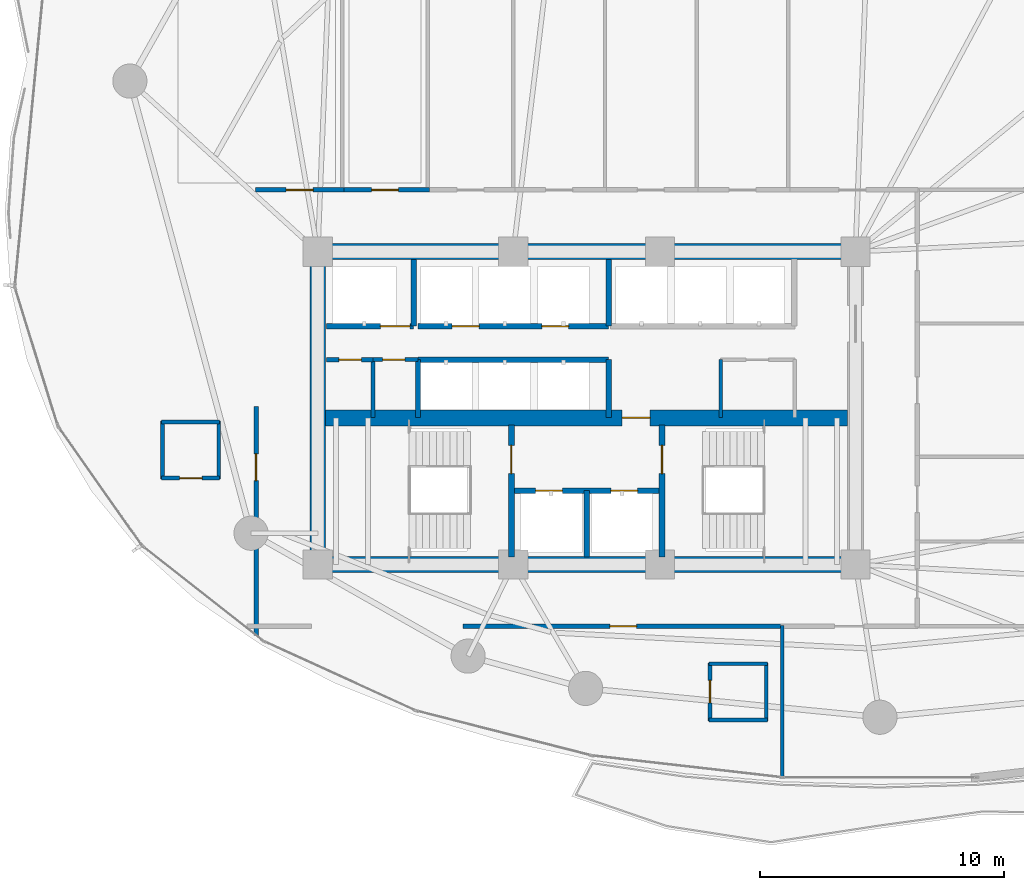
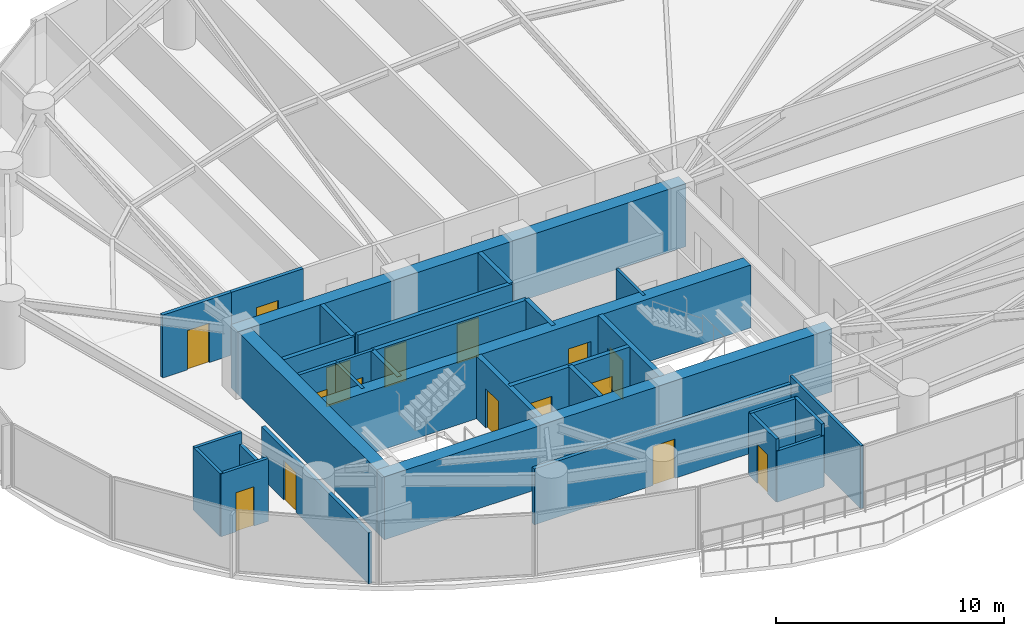
# One storey, part 25 of 31: 32 walls, 16 doors, 16 openings.
"""IFC4 building model written with IfcOpenShell, lengths in metres."""

from ifc_helpers import new_model, si_unit, direction, frame, frame_2d, origin, place, context, subcontext, project, spatial, rectangle, extrude, material, layer, layer_set, type_object, element, fill, save


model = new_model("IFC4")

# Units and contexts
model_context = context("Model", 3, precision=1e-05, world=origin(), true_north=direction((0.0, 1.0)))
body_context = subcontext(model_context, "Body", "Model", "MODEL_VIEW")
ifc_project = project(units=[si_unit("LENGTHUNIT", "METRE"), si_unit("AREAUNIT", "SQUARE_METRE"), si_unit("VOLUMEUNIT", "CUBIC_METRE"), si_unit("PLANEANGLEUNIT", "RADIAN"), si_unit("MASSUNIT", "GRAM", prefix="KILO")], contexts=[model_context])

# Site, building, storey
site_placement = place(None, origin())
site = spatial("IfcSite", under=ifc_project, at=site_placement, CompositionType="ELEMENT")
building_placement = place(site_placement, origin())
building = spatial("IfcBuilding", under=site, at=building_placement, Name="Kazevale Care Tower and Concert Hall", CompositionType="ELEMENT")
storey_placement = place(building_placement, frame((0.0, 0.0, 60.0)))
storey = spatial("IfcBuildingStorey", under=building, at=storey_placement, Name="L15", CompositionType="ELEMENT", Elevation=60.0)

# Walls
ifc_material_1 = material(Name="Acoustic Gypsum on Steel Stud", Category="steel")
ifc_layer_1 = layer(ifc_material_1, 0.139892578125)
ifc_layer_set_1 = layer_set([ifc_layer_1], Name="Acoustic Gypsum on Steel Stud")
wall_type_1 = type_object("IfcWallType", Name="Acoustic Care & Suite Partition 140", PredefinedType="PARTITIONING", material=ifc_layer_set_1)
wall_1_placement = place(storey_placement, frame((38.47998046875, 29.6201171875, 0.0), z_axis=(0.0, 0.0, 1.0), x_axis=(0.0, 1.0, 0.0)))
element("IfcWall", 1, at=wall_1_placement, inside=storey, type_object=wall_type_1, Name="wall:L15:kb_ew", PredefinedType="PARTITIONING", context=body_context, shape_type="SweptSolid", body=[
    extrude(rectangle(XDim=2.35986328125, YDim=0.139892578125, at=frame_2d((1.179931640625, 0.0))), origin(), (0.0, 0.0, 1.0), 3.360107421875),
])
wall_2_placement = place(storey_placement, frame((41.0, 21.10498046875, 0.0), z_axis=(0.0, 0.0, 1.0), x_axis=(0.0, -1.0, 0.0)))
element("IfcWall", 2, at=wall_2_placement, inside=storey, type_object=wall_type_1, Name="wall:L15:auto_027", PredefinedType="PARTITIONING", context=body_context, shape_type="SweptSolid", body=[
    extrude(rectangle(XDim=6.204833984375, YDim=0.139892578125, at=frame_2d((3.1025390625, 0.0))), origin(), (0.0, 0.0, 1.0), 3.360107421875),
])
ifc_material_2 = material(Name="Concrete C70", Category="concrete")
ifc_layer_2 = layer(ifc_material_2, 0.64990234375)
ifc_layer_set_2 = layer_set([ifc_layer_2], Name="Concrete C70")
wall_type_2 = type_object("IfcWallType", Name="Core Shear Wall 650 C70", PredefinedType="SHEAR", material=ifc_layer_set_2)
for number, where, z_axis, x_axis, name in (
    (3, (21.675048828125, 23.60009765625, 0.0), (0.0, 0.0, 1.0), (1.0, 0.0, 0.0), "wall:L15:core:S"),
    (4, (21.675048828125, 36.39990234375, 0.0), (0.0, 0.0, 1.0), (1.0, 0.0, 0.0), "wall:L15:core:N"),
):
    element("IfcWall", number, at=place(storey_placement, frame(where, z_axis=z_axis, x_axis=x_axis)), inside=storey, type_object=wall_type_2, Name=name, PredefinedType="SHEAR", context=body_context, shape_type="SweptSolid", body=[
        extrude(rectangle(XDim=22.64990234375, YDim=0.64990234375, at=frame_2d((11.324951171875, 0.0))), origin(), (0.0, 0.0, 1.0), 3.360107421875),
    ])
wall_3_placement = place(storey_placement, frame((22.0, 23.925048828125, 0.0), z_axis=(0.0, 0.0, 1.0), x_axis=(0.0, 1.0, 0.0)))
element("IfcWall", 5, at=wall_3_placement, inside=storey, type_object=wall_type_2, Name="wall:L15:core:W", PredefinedType="SHEAR", context=body_context, shape_type="SweptSolid", body=[
    extrude(rectangle(XDim=12.14990234375, YDim=0.64990234375, at=frame_2d((6.074951171875, 0.0))), origin(), (0.0, 0.0, 1.0), 3.360107421875),
])

# Wall, opening, door
wall_4_placement = place(storey_placement, frame((22.324951171875, 29.60009765625, 0.0), z_axis=(0.0, 0.0, 1.0), x_axis=(1.0, 0.0, 0.0)))
wall_4 = element("IfcWall", 6, at=wall_4_placement, inside=storey, type_object=wall_type_2, Name="wall:L15:core:M", PredefinedType="SHEAR", context=body_context, shape_type="SweptSolid", body=[
    extrude(rectangle(XDim=21.35009765625, YDim=0.64990234375, at=frame_2d((10.675048828125, 0.0))), origin(), (0.0, 0.0, 1.0), 3.360107421875),
])
opening_1_placement = place(wall_4_placement, frame((12.125, 0.0, 0.0)))
opening_1 = element("IfcOpeningElement", 7, at=opening_1_placement, cuts=wall_4, Name="Opening FD-90", PredefinedType="OPENING", context=body_context, shape_type="SweptSolid", body=[
    extrude(rectangle(XDim=1.14990234375, YDim=2.10009765625, at=frame_2d((0.574951171875, 1.050048828125))), frame((0.0, 0.3349609375, 0.0), z_axis=(0.0, -1.0, 0.0), x_axis=(1.0, 0.0, 0.0)), (0.0, 0.0, 1.0), 0.669921875),
])
ifc_material_3 = material(Name="Steel ASTM A572 Gr 50", Category="steel")
door_type_1 = type_object("IfcDoorType", Name="Pressurized Stair & Lobby Fire Door 1150x2100", OperationType="NOTDEFINED", PredefinedType="DOOR", material=ifc_material_3)
door_1_placement = place(opening_1_placement, origin())
door_1 = element("IfcDoor", 8, at=door_1_placement, inside=storey, type_object=door_type_1, Name="door:L15:ff_to_pax", OperationType="SINGLE_SWING_LEFT", OverallHeight=2.10009765625, OverallWidth=1.14990234375, PredefinedType="DOOR", context=body_context, shape_type="SweptSolid", body=[
    extrude(rectangle(XDim=1.14990234375, YDim=2.10009765625, at=frame_2d((0.574951171875, 1.050048828125))), frame((0.0, 0.02490234375, 0.0), z_axis=(0.0, -1.0, 0.0), x_axis=(1.0, 0.0, 0.0)), (0.0, 0.0, 1.0), 0.050048828125),
])
fill(opening_1, door_1)

# Wall, openings, doors
ifc_material_4 = material(Name="Concrete C40", Category="concrete")
ifc_layer_3 = layer(ifc_material_4, 0.219970703125)
ifc_layer_set_3 = layer_set([ifc_layer_3], Name="Concrete C40")
wall_type_3 = type_object("IfcWallType", Name="Elevator Hoistway Shaft Wall 220", PredefinedType="SOLIDWALL", material=ifc_layer_set_3)
wall_5_placement = place(storey_placement, frame((29.919921875, 26.6201171875, 0.0), z_axis=(0.0, 0.0, 1.0), x_axis=(1.0, 0.0, 0.0)))
wall_5 = element("IfcWall", 9, at=wall_5_placement, inside=storey, type_object=wall_type_3, Name="wall:L15:c_ffl_n", PredefinedType="SOLIDWALL", context=body_context, shape_type="SweptSolid", body=[
    extrude(rectangle(XDim=6.16015625, YDim=0.219970703125, at=frame_2d((3.080078125, 0.0))), origin(), (0.0, 0.0, 1.0), 3.360107421875),
])
opening_2_placement = place(wall_5_placement, frame((0.989990234375, 0.0, 0.0)))
opening_2 = element("IfcOpeningElement", 10, at=opening_2_placement, cuts=wall_5, Name="Opening LD-FF", PredefinedType="OPENING", context=body_context, shape_type="SweptSolid", body=[
    extrude(rectangle(XDim=1.10009765625, YDim=2.10009765625, at=frame_2d((0.550048828125, 1.050048828125))), frame((0.0, 0.119873046875, 0.0), z_axis=(0.0, -1.0, 0.0), x_axis=(1.0, 0.0, 0.0)), (0.0, 0.0, 1.0), 0.239990234375),
])
opening_3_placement = place(wall_5_placement, frame((4.070068359375, 0.0, 0.0)))
opening_3 = element("IfcOpeningElement", 11, at=opening_3_placement, cuts=wall_5, Name="Opening LD-FF", PredefinedType="OPENING", context=body_context, shape_type="SweptSolid", body=[
    extrude(rectangle(XDim=1.10009765625, YDim=2.10009765625, at=frame_2d((0.550048828125, 1.050048828125))), frame((0.0, 0.119873046875, 0.0), z_axis=(0.0, -1.0, 0.0), x_axis=(1.0, 0.0, 0.0)), (0.0, 0.0, 1.0), 0.239990234375),
])
ifc_material_5 = material(Name="Stainless Steel 316", Category="steel")
door_type_2 = type_object("IfcDoorType", Name="Emergency Lift Sliding Landing Door 1100x2100", OperationType="NOTDEFINED", PredefinedType="DOOR", material=ifc_material_5)
door_2_placement = place(opening_2_placement, origin())
door_2 = element("IfcDoor", 12, at=door_2_placement, inside=storey, type_object=door_type_2, Name="door:L15:ld_ffl1", OperationType="SLIDING_TO_LEFT", OverallHeight=2.10009765625, OverallWidth=1.10009765625, PredefinedType="DOOR", context=body_context, shape_type="SweptSolid", body=[
    extrude(rectangle(XDim=1.10009765625, YDim=2.10009765625, at=frame_2d((0.550048828125, 1.050048828125))), frame((0.0, 0.02490234375, 0.0), z_axis=(0.0, -1.0, 0.0), x_axis=(1.0, 0.0, 0.0)), (0.0, 0.0, 1.0), 0.050048828125),
])
fill(opening_2, door_2)
door_3_placement = place(opening_3_placement, origin())
door_3 = element("IfcDoor", 13, at=door_3_placement, inside=storey, type_object=door_type_2, Name="door:L15:ld_ffl2", OperationType="SLIDING_TO_RIGHT", OverallHeight=2.10009765625, OverallWidth=1.10009765625, PredefinedType="DOOR", context=body_context, shape_type="SweptSolid", body=[
    extrude(rectangle(XDim=1.10009765625, YDim=2.10009765625, at=frame_2d((0.550048828125, 1.050048828125))), frame((0.0, 0.02490234375, 0.0), z_axis=(0.0, -1.0, 0.0), x_axis=(1.0, 0.0, 0.0)), (0.0, 0.0, 1.0), 0.050048828125),
])
fill(opening_3, door_3)

# Walls
wall_6_placement = place(storey_placement, frame((33.0, 23.89990234375, 0.0), z_axis=(0.0, 0.0, 1.0), x_axis=(0.0, 1.0, 0.0)))
element("IfcWall", 14, at=wall_6_placement, inside=storey, type_object=wall_type_3, Name="wall:L15:c_ffl_m", PredefinedType="SOLIDWALL", context=body_context, shape_type="SweptSolid", body=[
    extrude(rectangle(XDim=2.72021484375, YDim=0.219970703125, at=frame_2d((1.360107421875, 0.0))), origin(), (0.0, 0.0, 1.0), 3.360107421875),
])
wall_7_placement = place(storey_placement, frame((25.919921875, 33.35009765625, 0.0), z_axis=(0.0, 0.0, 1.0), x_axis=(0.0, 1.0, 0.0)))
element("IfcWall", 15, at=wall_7_placement, inside=storey, type_object=wall_type_3, Name="wall:L15:c_svl_e", PredefinedType="SOLIDWALL", context=body_context, shape_type="SweptSolid", body=[
    extrude(rectangle(XDim=2.72998046875, YDim=0.219970703125, at=frame_2d((1.364990234375, 0.0))), origin(), (0.0, 0.0, 1.0), 3.360107421875),
])

# Wall, opening, door
wall_8_placement = place(storey_placement, frame((22.35009765625, 33.35009765625, 0.0), z_axis=(0.0, 0.0, 1.0), x_axis=(1.0, 0.0, 0.0)))
wall_8 = element("IfcWall", 16, at=wall_8_placement, inside=storey, type_object=wall_type_3, Name="wall:L15:c_svl_s", PredefinedType="SOLIDWALL", context=body_context, shape_type="SweptSolid", body=[
    extrude(rectangle(XDim=3.56982421875, YDim=0.219970703125, at=frame_2d((1.784912109375, 0.0))), origin(), (0.0, 0.0, 1.0), 3.360107421875),
])
opening_4_placement = place(wall_8_placement, frame((2.212890625, 0.0, 0.0)))
opening_4 = element("IfcOpeningElement", 17, at=opening_4_placement, cuts=wall_8, Name="Opening LD-SV", PredefinedType="OPENING", context=body_context, shape_type="SweptSolid", body=[
    extrude(rectangle(XDim=1.199951171875, YDim=2.10009765625, at=frame_2d((0.60009765625, 1.050048828125))), frame((0.0, 0.119873046875, 0.0), z_axis=(0.0, -1.0, 0.0), x_axis=(1.0, 0.0, 0.0)), (0.0, 0.0, 1.0), 0.239990234375),
])
door_type_3 = type_object("IfcDoorType", Name="Service Lift Sliding Landing Door 1200x2100", OperationType="NOTDEFINED", PredefinedType="DOOR", material=ifc_material_5)
door_4_placement = place(opening_4_placement, origin())
door_4 = element("IfcDoor", 18, at=door_4_placement, inside=storey, type_object=door_type_3, Name="door:L15:ld_svl1", OperationType="SLIDING_TO_LEFT", OverallHeight=2.10009765625, OverallWidth=1.199951171875, PredefinedType="DOOR", context=body_context, shape_type="SweptSolid", body=[
    extrude(rectangle(XDim=1.199951171875, YDim=2.10009765625, at=frame_2d((0.60009765625, 1.050048828125))), frame((0.0, 0.02490234375, 0.0), z_axis=(0.0, -1.0, 0.0), x_axis=(1.0, 0.0, 0.0)), (0.0, 0.0, 1.0), 0.050048828125),
])
fill(opening_4, door_4)

# Walls
wall_9_placement = place(storey_placement, frame((26.10009765625, 29.6201171875, 0.0), z_axis=(0.0, 0.0, 1.0), x_axis=(0.0, 1.0, 0.0)))
element("IfcWall", 19, at=wall_9_placement, inside=storey, type_object=wall_type_3, Name="wall:L15:c_ph_w", PredefinedType="SOLIDWALL", context=body_context, shape_type="SweptSolid", body=[
    extrude(rectangle(XDim=2.35986328125, YDim=0.219970703125, at=frame_2d((1.179931640625, 0.0))), origin(), (0.0, 0.0, 1.0), 3.360107421875),
])
wall_10_placement = place(storey_placement, frame((26.10009765625, 31.97998046875, 0.0), z_axis=(0.0, 0.0, 1.0), x_axis=(1.0, 0.0, 0.0)))
element("IfcWall", 20, at=wall_10_placement, inside=storey, type_object=wall_type_3, Name="wall:L15:c_ph_n", PredefinedType="SOLIDWALL", context=body_context, shape_type="SweptSolid", body=[
    extrude(rectangle(XDim=7.7998046875, YDim=0.219970703125, at=frame_2d((3.89990234375, 0.0))), origin(), (0.0, 0.0, 1.0), 3.360107421875),
])
wall_11_placement = place(storey_placement, frame((33.89990234375, 29.6201171875, 0.0), z_axis=(0.0, 0.0, 1.0), x_axis=(0.0, 1.0, 0.0)))
element("IfcWall", 21, at=wall_11_placement, inside=storey, type_object=wall_type_3, Name="wall:L15:c_ph_e", PredefinedType="SOLIDWALL", context=body_context, shape_type="SweptSolid", body=[
    extrude(rectangle(XDim=2.35986328125, YDim=0.219970703125, at=frame_2d((1.179931640625, 0.0))), origin(), (0.0, 0.0, 1.0), 3.360107421875),
])

# Wall, openings, doors
wall_12_placement = place(storey_placement, frame((26.10009765625, 33.35009765625, 0.0), z_axis=(0.0, 0.0, 1.0), x_axis=(1.0, 0.0, 0.0)))
wall_12 = element("IfcWall", 22, at=wall_12_placement, inside=storey, type_object=wall_type_3, Name="wall:L15:c_pl_s", PredefinedType="SOLIDWALL", context=body_context, shape_type="SweptSolid", body=[
    extrude(rectangle(XDim=7.7998046875, YDim=0.219970703125, at=frame_2d((3.89990234375, 0.0))), origin(), (0.0, 0.0, 1.0), 3.360107421875),
])
opening_5_placement = place(wall_12_placement, frame((1.39990234375, 0.0, 0.0)))
opening_5 = element("IfcOpeningElement", 23, at=opening_5_placement, cuts=wall_12, Name="Opening LD-PAX", PredefinedType="OPENING", context=body_context, shape_type="SweptSolid", body=[
    extrude(rectangle(XDim=1.10009765625, YDim=2.10009765625, at=frame_2d((0.550048828125, 1.050048828125))), frame((0.0, 0.119873046875, 0.0), z_axis=(0.0, -1.0, 0.0), x_axis=(1.0, 0.0, 0.0)), (0.0, 0.0, 1.0), 0.239990234375),
])
opening_6_placement = place(wall_12_placement, frame((5.06591796875, 0.0, 0.0)))
opening_6 = element("IfcOpeningElement", 24, at=opening_6_placement, cuts=wall_12, Name="Opening LD-PAX", PredefinedType="OPENING", context=body_context, shape_type="SweptSolid", body=[
    extrude(rectangle(XDim=1.10009765625, YDim=2.10009765625, at=frame_2d((0.550048828125, 1.050048828125))), frame((0.0, 0.119873046875, 0.0), z_axis=(0.0, -1.0, 0.0), x_axis=(1.0, 0.0, 0.0)), (0.0, 0.0, 1.0), 0.239990234375),
])
door_type_4 = type_object("IfcDoorType", Name="Passenger Lift Sliding Landing Door 1100x2100", OperationType="NOTDEFINED", PredefinedType="DOOR", material=ifc_material_5)
door_5_placement = place(opening_5_placement, origin())
door_5 = element("IfcDoor", 25, at=door_5_placement, inside=storey, type_object=door_type_4, Name="door:L15:ld_pl1", OperationType="SLIDING_TO_LEFT", OverallHeight=2.10009765625, OverallWidth=1.10009765625, PredefinedType="DOOR", context=body_context, shape_type="SweptSolid", body=[
    extrude(rectangle(XDim=1.10009765625, YDim=2.10009765625, at=frame_2d((0.550048828125, 1.050048828125))), frame((0.0, 0.02490234375, 0.0), z_axis=(0.0, -1.0, 0.0), x_axis=(1.0, 0.0, 0.0)), (0.0, 0.0, 1.0), 0.050048828125),
])
fill(opening_5, door_5)
door_6_placement = place(opening_6_placement, origin())
door_6 = element("IfcDoor", 26, at=door_6_placement, inside=storey, type_object=door_type_4, Name="door:L15:ld_pl2", OperationType="SLIDING_TO_RIGHT", OverallHeight=2.10009765625, OverallWidth=1.10009765625, PredefinedType="DOOR", context=body_context, shape_type="SweptSolid", body=[
    extrude(rectangle(XDim=1.10009765625, YDim=2.10009765625, at=frame_2d((0.550048828125, 1.050048828125))), frame((0.0, 0.02490234375, 0.0), z_axis=(0.0, -1.0, 0.0), x_axis=(1.0, 0.0, 0.0)), (0.0, 0.0, 1.0), 0.050048828125),
])
fill(opening_6, door_6)

# Wall
wall_13_placement = place(storey_placement, frame((33.89990234375, 33.35009765625, 0.0), z_axis=(0.0, 0.0, 1.0), x_axis=(0.0, 1.0, 0.0)))
element("IfcWall", 27, at=wall_13_placement, inside=storey, type_object=wall_type_3, Name="wall:L15:c_pl_e", PredefinedType="SOLIDWALL", context=body_context, shape_type="SweptSolid", body=[
    extrude(rectangle(XDim=2.72998046875, YDim=0.219970703125, at=frame_2d((1.364990234375, 0.0))), origin(), (0.0, 0.0, 1.0), 3.360107421875),
])

# Wall, opening, door
ifc_material_6 = material(Name="Concrete C40 and Acoustic Gypsum", Category="concrete")
ifc_layer_4 = layer(ifc_material_6, 0.179931640625)
ifc_layer_set_4 = layer_set([ifc_layer_4], Name="Concrete C40 and Acoustic Gypsum")
wall_type_4 = type_object("IfcWallType", Name="Fire-Rated Corridor & Party Wall 180", PredefinedType="PARTITIONING", material=ifc_layer_set_4)
wall_14_placement = place(storey_placement, frame((22.35009765625, 31.97998046875, 0.0), z_axis=(0.0, 0.0, 1.0), x_axis=(1.0, 0.0, 0.0)))
wall_14 = element("IfcWall", 28, at=wall_14_placement, inside=storey, type_object=wall_type_4, Name="wall:L15:kb_wn0", PredefinedType="PARTITIONING", context=body_context, shape_type="SweptSolid", body=[
    extrude(rectangle(XDim=1.909912109375, YDim=0.179931640625, at=frame_2d((0.955078125, 0.0))), origin(), (0.0, 0.0, 1.0), 3.360107421875),
])
opening_7_placement = place(wall_14_placement, frame((0.514892578125, 0.0, 0.0)))
opening_7 = element("IfcOpeningElement", 29, at=opening_7_placement, cuts=wall_14, Name="Opening ID-900", PredefinedType="OPENING", context=body_context, shape_type="SweptSolid", body=[
    extrude(rectangle(XDim=0.919921875, YDim=2.10009765625, at=frame_2d((0.4599609375, 1.050048828125))), frame((0.0, 0.099853515625, 0.0), z_axis=(0.0, -1.0, 0.0), x_axis=(1.0, 0.0, 0.0)), (0.0, 0.0, 1.0), 0.199951171875),
])
ifc_material_7 = material(Name="Oak Timber Fire Leaf", Category="wood")
door_type_5 = type_object("IfcDoorType", Name="Bathroom & Service Door 920x2100", OperationType="NOTDEFINED", PredefinedType="DOOR", material=ifc_material_7)
door_7_placement = place(opening_7_placement, origin())
door_7 = element("IfcDoor", 30, at=door_7_placement, inside=storey, type_object=door_type_5, Name="door:L15:d_kbw1", OperationType="SINGLE_SWING_LEFT", OverallHeight=2.10009765625, OverallWidth=0.919921875, PredefinedType="DOOR", context=body_context, shape_type="SweptSolid", body=[
    extrude(rectangle(XDim=0.919921875, YDim=2.10009765625, at=frame_2d((0.4599609375, 1.050048828125))), frame((0.0, 0.02490234375, 0.0), z_axis=(0.0, -1.0, 0.0), x_axis=(1.0, 0.0, 0.0)), (0.0, 0.0, 1.0), 0.050048828125),
])
fill(opening_7, door_7)

wall_15_placement = place(storey_placement, frame((19.445068359375, 38.925048828125, 0.0), z_axis=(0.0, 0.0, 1.0), x_axis=(1.0, 0.0, 0.0)))
wall_15 = element("IfcWall", 31, at=wall_15_placement, inside=storey, type_object=wall_type_4, Name="wall:L15:auto_001", PredefinedType="PARTITIONING", context=body_context, shape_type="SweptSolid", body=[
    extrude(rectangle(XDim=3.619873046875, YDim=0.179931640625, at=frame_2d((1.81005859375, 0.0))), origin(), (0.0, 0.0, 1.0), 3.360107421875),
])
opening_8_placement = place(wall_15_placement, frame((1.260009765625, 0.0, 0.0)))
opening_8 = element("IfcOpeningElement", 32, at=opening_8_placement, cuts=wall_15, Name="Opening ID-1100", PredefinedType="OPENING", context=body_context, shape_type="SweptSolid", body=[
    extrude(rectangle(XDim=1.10009765625, YDim=2.10009765625, at=frame_2d((0.550048828125, 1.050048828125))), frame((0.0, 0.099853515625, 0.0), z_axis=(0.0, -1.0, 0.0), x_axis=(1.0, 0.0, 0.0)), (0.0, 0.0, 1.0), 0.199951171875),
])
door_type_6 = type_object("IfcDoorType", Name="Care Bedroom Accessible Door 1100x2100", OperationType="NOTDEFINED", PredefinedType="DOOR", material=ifc_material_7)
door_8_placement = place(opening_8_placement, origin())
door_8 = element("IfcDoor", 33, at=door_8_placement, inside=storey, type_object=door_type_6, Name="door:L15:ad_001", OperationType="SINGLE_SWING_LEFT", OverallHeight=2.10009765625, OverallWidth=1.10009765625, PredefinedType="DOOR", context=body_context, shape_type="SweptSolid", body=[
    extrude(rectangle(XDim=1.10009765625, YDim=2.10009765625, at=frame_2d((0.550048828125, 1.050048828125))), frame((0.0, 0.02490234375, 0.0), z_axis=(0.0, -1.0, 0.0), x_axis=(1.0, 0.0, 0.0)), (0.0, 0.0, 1.0), 0.050048828125),
])
fill(opening_8, door_8)

wall_16_placement = place(storey_placement, frame((22.93505859375, 38.925048828125, 0.0), z_axis=(0.0, 0.0, 1.0), x_axis=(1.0, 0.0, 0.0)))
wall_16 = element("IfcWall", 34, at=wall_16_placement, inside=storey, type_object=wall_type_4, Name="wall:L15:auto_002", PredefinedType="PARTITIONING", context=body_context, shape_type="SweptSolid", body=[
    extrude(rectangle(XDim=3.6298828125, YDim=0.179931640625, at=frame_2d((1.81494140625, 0.0))), origin(), (0.0, 0.0, 1.0), 3.360107421875),
])
opening_9_placement = place(wall_16_placement, frame((1.264892578125, 0.0, 0.0)))
opening_9 = element("IfcOpeningElement", 35, at=opening_9_placement, cuts=wall_16, Name="Opening ID-1100", PredefinedType="OPENING", context=body_context, shape_type="SweptSolid", body=[
    extrude(rectangle(XDim=1.10009765625, YDim=2.10009765625, at=frame_2d((0.550048828125, 1.050048828125))), frame((0.0, 0.099853515625, 0.0), z_axis=(0.0, -1.0, 0.0), x_axis=(1.0, 0.0, 0.0)), (0.0, 0.0, 1.0), 0.199951171875),
])
door_9_placement = place(opening_9_placement, origin())
door_9 = element("IfcDoor", 36, at=door_9_placement, inside=storey, type_object=door_type_6, Name="door:L15:ad_002", OperationType="SINGLE_SWING_LEFT", OverallHeight=2.10009765625, OverallWidth=1.10009765625, PredefinedType="DOOR", context=body_context, shape_type="SweptSolid", body=[
    extrude(rectangle(XDim=1.10009765625, YDim=2.10009765625, at=frame_2d((0.550048828125, 1.050048828125))), frame((0.0, 0.02490234375, 0.0), z_axis=(0.0, -1.0, 0.0), x_axis=(1.0, 0.0, 0.0)), (0.0, 0.0, 1.0), 0.050048828125),
])
fill(opening_9, door_9)

wall_17_placement = place(storey_placement, frame((41.06494140625, 21.074951171875, 0.0), z_axis=(0.0, 0.0, 1.0), x_axis=(-1.0, 0.0, 0.0)))
wall_17 = element("IfcWall", 37, at=wall_17_placement, inside=storey, type_object=wall_type_4, Name="wall:L15:auto_012", PredefinedType="PARTITIONING", context=body_context, shape_type="SweptSolid", body=[
    extrude(rectangle(XDim=13.1298828125, YDim=0.179931640625, at=frame_2d((6.56494140625, 0.0))), origin(), (0.0, 0.0, 1.0), 2.99609375),
])
opening_10_placement = place(wall_17_placement, frame((6.014892578125, 0.0, 0.0)))
opening_10 = element("IfcOpeningElement", 38, at=opening_10_placement, cuts=wall_17, Name="Opening ID-1100", PredefinedType="OPENING", context=body_context, shape_type="SweptSolid", body=[
    extrude(rectangle(XDim=1.10009765625, YDim=2.10009765625, at=frame_2d((0.550048828125, 1.050048828125))), frame((0.0, 0.099853515625, 0.0), z_axis=(0.0, -1.0, 0.0), x_axis=(1.0, 0.0, 0.0)), (0.0, 0.0, 1.0), 0.199951171875),
])
door_10_placement = place(opening_10_placement, origin())
door_10 = element("IfcDoor", 39, at=door_10_placement, inside=storey, type_object=door_type_6, Name="door:L15:ad_012", OperationType="SINGLE_SWING_LEFT", OverallHeight=2.10009765625, OverallWidth=1.10009765625, PredefinedType="DOOR", context=body_context, shape_type="SweptSolid", body=[
    extrude(rectangle(XDim=1.10009765625, YDim=2.10009765625, at=frame_2d((0.550048828125, 1.050048828125))), frame((0.0, 0.02490234375, 0.0), z_axis=(0.0, -1.0, 0.0), x_axis=(1.0, 0.0, 0.0)), (0.0, 0.0, 1.0), 0.050048828125),
])
fill(opening_10, door_10)

wall_18_placement = place(storey_placement, frame((19.47509765625, 20.695068359375, 0.0), z_axis=(0.0, 0.0, 1.0), x_axis=(0.0, 1.0, 0.0)))
wall_18 = element("IfcWall", 40, at=wall_18_placement, inside=storey, type_object=wall_type_4, Name="wall:L15:auto_014", PredefinedType="PARTITIONING", context=body_context, shape_type="SweptSolid", body=[
    extrude(rectangle(XDim=9.369873046875, YDim=0.179931640625, at=frame_2d((4.68505859375, 0.0))), origin(), (0.0, 0.0, 1.0), 2.738037109375),
])
opening_11_placement = place(wall_18_placement, frame((6.3349609375, 0.0, 0.0)))
opening_11 = element("IfcOpeningElement", 41, at=opening_11_placement, cuts=wall_18, Name="Opening ID-1100", PredefinedType="OPENING", context=body_context, shape_type="SweptSolid", body=[
    extrude(rectangle(XDim=1.10009765625, YDim=2.10009765625, at=frame_2d((0.550048828125, 1.050048828125))), frame((0.0, 0.099853515625, 0.0), z_axis=(0.0, -1.0, 0.0), x_axis=(1.0, 0.0, 0.0)), (0.0, 0.0, 1.0), 0.199951171875),
])
door_11_placement = place(opening_11_placement, origin())
door_11 = element("IfcDoor", 42, at=door_11_placement, inside=storey, type_object=door_type_6, Name="door:L15:ad_014", OperationType="SINGLE_SWING_LEFT", OverallHeight=2.10009765625, OverallWidth=1.10009765625, PredefinedType="DOOR", context=body_context, shape_type="SweptSolid", body=[
    extrude(rectangle(XDim=1.10009765625, YDim=2.10009765625, at=frame_2d((0.550048828125, 1.050048828125))), frame((0.0, 0.02490234375, 0.0), z_axis=(0.0, -1.0, 0.0), x_axis=(1.0, 0.0, 0.0)), (0.0, 0.0, 1.0), 0.050048828125),
])
fill(opening_11, door_11)

# Wall
ifc_layer_5 = layer(ifc_material_1, 0.159912109375)
ifc_layer_set_5 = layer_set([ifc_layer_5], Name="Acoustic Gypsum on Steel Stud")
wall_type_5 = type_object("IfcWallType", Name="Moisture-Resistant Bathroom Plumbing Wall 160", PredefinedType="PLUMBINGWALL", material=ifc_layer_set_5)
wall_19_placement = place(storey_placement, frame((24.260009765625, 29.6201171875, 0.0), z_axis=(0.0, 0.0, 1.0), x_axis=(0.0, 1.0, 0.0)))
element("IfcWall", 43, at=wall_19_placement, inside=storey, type_object=wall_type_5, Name="wall:L15:kb_we1", PredefinedType="PLUMBINGWALL", context=body_context, shape_type="SweptSolid", body=[
    extrude(rectangle(XDim=2.35986328125, YDim=0.159912109375, at=frame_2d((1.179931640625, 0.0))), origin(), (0.0, 0.0, 1.0), 3.360107421875),
])

# Wall, opening, door
wall_20_placement = place(storey_placement, frame((24.260009765625, 31.97998046875, 0.0), z_axis=(0.0, 0.0, 1.0), x_axis=(1.0, 0.0, 0.0)))
wall_20 = element("IfcWall", 44, at=wall_20_placement, inside=storey, type_object=wall_type_5, Name="wall:L15:kb_wn1", PredefinedType="PLUMBINGWALL", context=body_context, shape_type="SweptSolid", body=[
    extrude(rectangle(XDim=1.840087890625, YDim=0.159912109375, at=frame_2d((0.919921875, 0.0))), origin(), (0.0, 0.0, 1.0), 3.360107421875),
])
opening_12_placement = place(wall_20_placement, frame((0.387939453125, 0.0, 0.0)))
opening_12 = element("IfcOpeningElement", 45, at=opening_12_placement, cuts=wall_20, Name="Opening ID-900", PredefinedType="OPENING", context=body_context, shape_type="SweptSolid", body=[
    extrude(rectangle(XDim=0.919921875, YDim=2.10009765625, at=frame_2d((0.4599609375, 1.050048828125))), frame((0.0, 0.08984375, 0.0), z_axis=(0.0, -1.0, 0.0), x_axis=(1.0, 0.0, 0.0)), (0.0, 0.0, 1.0), 0.179931640625),
])
door_12_placement = place(opening_12_placement, origin())
door_12 = element("IfcDoor", 46, at=door_12_placement, inside=storey, type_object=door_type_5, Name="door:L15:d_kbw2", OperationType="SINGLE_SWING_RIGHT", OverallHeight=2.10009765625, OverallWidth=0.919921875, PredefinedType="DOOR", context=body_context, shape_type="SweptSolid", body=[
    extrude(rectangle(XDim=0.919921875, YDim=2.10009765625, at=frame_2d((0.4599609375, 1.050048828125))), frame((0.0, 0.02490234375, 0.0), z_axis=(0.0, -1.0, 0.0), x_axis=(1.0, 0.0, 0.0)), (0.0, 0.0, 1.0), 0.050048828125),
])
fill(opening_12, door_12)

# Walls
wall_21_placement = place(storey_placement, frame((38.010009765625, 17.239013671875, 0.0), z_axis=(0.0, 0.0, 1.0), x_axis=(1.0, 0.0, 0.0)))
element("IfcWall", 47, at=wall_21_placement, inside=storey, type_object=wall_type_5, Name="wall:L15:sb2_ens_ws", PredefinedType="PLUMBINGWALL", context=body_context, shape_type="SweptSolid", body=[
    extrude(rectangle(XDim=2.3798828125, YDim=0.159912109375, at=frame_2d((1.18994140625, 0.0))), origin(), (0.0, 0.0, 1.0), 2.738037109375),
])
wall_22_placement = place(storey_placement, frame((38.010009765625, 19.5390625, 0.0), z_axis=(0.0, 0.0, 1.0), x_axis=(1.0, 0.0, 0.0)))
element("IfcWall", 48, at=wall_22_placement, inside=storey, type_object=wall_type_5, Name="wall:L15:sb2_ens_wn", PredefinedType="PLUMBINGWALL", context=body_context, shape_type="SweptSolid", body=[
    extrude(rectangle(XDim=2.3798828125, YDim=0.159912109375, at=frame_2d((1.18994140625, 0.0))), origin(), (0.0, 0.0, 1.0), 3.360107421875),
])

# Wall, opening, door
wall_23_placement = place(storey_placement, frame((38.050048828125, 17.198974609375, 0.0), z_axis=(0.0, 0.0, 1.0), x_axis=(0.0, 1.0, 0.0)))
wall_23 = element("IfcWall", 49, at=wall_23_placement, inside=storey, type_object=wall_type_5, Name="wall:L15:sb2_ens_ww", PredefinedType="PLUMBINGWALL", context=body_context, shape_type="SweptSolid", body=[
    extrude(rectangle(XDim=2.380126953125, YDim=0.159912109375, at=frame_2d((1.18994140625, 0.0))), origin(), (0.0, 0.0, 1.0), 3.360107421875),
])
opening_13_placement = place(wall_23_placement, frame((0.739990234375, 0.0, 0.0)))
opening_13 = element("IfcOpeningElement", 50, at=opening_13_placement, cuts=wall_23, Name="Opening ID-900", PredefinedType="OPENING", context=body_context, shape_type="SweptSolid", body=[
    extrude(rectangle(XDim=0.919921875, YDim=2.10009765625, at=frame_2d((0.4599609375, 1.050048828125))), frame((0.0, 0.08984375, 0.0), z_axis=(0.0, -1.0, 0.0), x_axis=(1.0, 0.0, 0.0)), (0.0, 0.0, 1.0), 0.179931640625),
])
door_13_placement = place(opening_13_placement, origin())
door_13 = element("IfcDoor", 51, at=door_13_placement, inside=storey, type_object=door_type_5, Name="door:L15:sb2_ens_d", OperationType="SINGLE_SWING_RIGHT", OverallHeight=2.10009765625, OverallWidth=0.919921875, PredefinedType="DOOR", context=body_context, shape_type="SweptSolid", body=[
    extrude(rectangle(XDim=0.919921875, YDim=2.10009765625, at=frame_2d((0.4599609375, 1.050048828125))), frame((0.0, 0.02490234375, 0.0), z_axis=(0.0, -1.0, 0.0), x_axis=(1.0, 0.0, 0.0)), (0.0, 0.0, 1.0), 0.050048828125),
])
fill(opening_13, door_13)

# Wall
wall_24_placement = place(storey_placement, frame((40.35009765625, 17.198974609375, 0.0), z_axis=(0.0, 0.0, 1.0), x_axis=(0.0, 1.0, 0.0)))
element("IfcWall", 52, at=wall_24_placement, inside=storey, type_object=wall_type_5, Name="wall:L15:sb2_ens_we", PredefinedType="PLUMBINGWALL", context=body_context, shape_type="SweptSolid", body=[
    extrude(rectangle(XDim=2.380126953125, YDim=0.159912109375, at=frame_2d((1.18994140625, 0.0))), origin(), (0.0, 0.0, 1.0), 3.360107421875),
])

# Wall, opening, door
wall_25_placement = place(storey_placement, frame((15.60693359375, 27.134033203125, 0.0), z_axis=(0.0, 0.0, 1.0), x_axis=(1.0, 0.0, 0.0)))
wall_25 = element("IfcWall", 53, at=wall_25_placement, inside=storey, type_object=wall_type_5, Name="wall:L15:wb1_ens_ws", PredefinedType="PLUMBINGWALL", context=body_context, shape_type="SweptSolid", body=[
    extrude(rectangle(XDim=2.380126953125, YDim=0.159912109375, at=frame_2d((1.18994140625, 0.0))), origin(), (0.0, 0.0, 1.0), 3.360107421875),
])
opening_14_placement = place(wall_25_placement, frame((0.739990234375, 0.0, 0.0)))
opening_14 = element("IfcOpeningElement", 54, at=opening_14_placement, cuts=wall_25, Name="Opening ID-900", PredefinedType="OPENING", context=body_context, shape_type="SweptSolid", body=[
    extrude(rectangle(XDim=0.919921875, YDim=2.10009765625, at=frame_2d((0.4599609375, 1.050048828125))), frame((0.0, 0.08984375, 0.0), z_axis=(0.0, -1.0, 0.0), x_axis=(1.0, 0.0, 0.0)), (0.0, 0.0, 1.0), 0.179931640625),
])
door_14_placement = place(opening_14_placement, origin())
door_14 = element("IfcDoor", 55, at=door_14_placement, inside=storey, type_object=door_type_5, Name="door:L15:wb1_ens_d", OperationType="SINGLE_SWING_RIGHT", OverallHeight=2.10009765625, OverallWidth=0.919921875, PredefinedType="DOOR", context=body_context, shape_type="SweptSolid", body=[
    extrude(rectangle(XDim=0.919921875, YDim=2.10009765625, at=frame_2d((0.4599609375, 1.050048828125))), frame((0.0, 0.02490234375, 0.0), z_axis=(0.0, -1.0, 0.0), x_axis=(1.0, 0.0, 0.0)), (0.0, 0.0, 1.0), 0.050048828125),
])
fill(opening_14, door_14)

# Walls
for number, where, z_axis, x_axis, name in (
    (56, (15.60693359375, 29.43408203125, 0.0), (0.0, 0.0, 1.0), (1.0, 0.0, 0.0), "wall:L15:wb1_ens_wn"),
    (57, (15.64697265625, 27.093994140625, 0.0), (0.0, 0.0, 1.0), (0.0, 1.0, 0.0), "wall:L15:wb1_ens_ww"),
):
    element("IfcWall", number, at=place(storey_placement, frame(where, z_axis=z_axis, x_axis=x_axis)), inside=storey, type_object=wall_type_5, Name=name, PredefinedType="PLUMBINGWALL", context=body_context, shape_type="SweptSolid", body=[
        extrude(rectangle(XDim=2.380126953125, YDim=0.159912109375, at=frame_2d((1.18994140625, 0.0))), origin(), (0.0, 0.0, 1.0), 3.360107421875),
    ])
wall_26_placement = place(storey_placement, frame((17.947021484375, 27.093994140625, 0.0), z_axis=(0.0, 0.0, 1.0), x_axis=(0.0, 1.0, 0.0)))
element("IfcWall", 58, at=wall_26_placement, inside=storey, type_object=wall_type_5, Name="wall:L15:wb1_ens_we", PredefinedType="PLUMBINGWALL", context=body_context, shape_type="SweptSolid", body=[
    extrude(rectangle(XDim=2.380126953125, YDim=0.159912109375, at=frame_2d((1.18994140625, 0.0))), origin(), (0.0, 0.0, 1.0), 2.738037109375),
])

# Wall, opening, door
ifc_layer_6 = layer(ifc_material_4, 0.25)
ifc_layer_set_6 = layer_set([ifc_layer_6], Name="Concrete C40")
wall_type_6 = type_object("IfcWallType", Name="Pressurized Stair Shaft Wall 250", PredefinedType="SOLIDWALL", material=ifc_layer_set_6)
wall_27_placement = place(storey_placement, frame((29.919921875, 23.89990234375, 0.0), z_axis=(0.0, 0.0, 1.0), x_axis=(0.0, 1.0, 0.0)))
wall_27 = element("IfcWall", 59, at=wall_27_placement, inside=storey, type_object=wall_type_6, Name="wall:L15:c_st1_e", PredefinedType="SOLIDWALL", context=body_context, shape_type="SweptSolid", body=[
    extrude(rectangle(XDim=5.400146484375, YDim=0.25, at=frame_2d((2.7001953125, 0.0))), origin(), (0.0, 0.0, 1.0), 3.360107421875),
])
opening_15_placement = place(wall_27_placement, frame((3.4208984375, 0.0, 0.0)))
opening_15 = element("IfcOpeningElement", 60, at=opening_15_placement, cuts=wall_27, Name="Opening FD-90", PredefinedType="OPENING", context=body_context, shape_type="SweptSolid", body=[
    extrude(rectangle(XDim=1.14990234375, YDim=2.10009765625, at=frame_2d((0.574951171875, 1.050048828125))), frame((0.0, 0.135009765625, 0.0), z_axis=(0.0, -1.0, 0.0), x_axis=(1.0, 0.0, 0.0)), (0.0, 0.0, 1.0), 0.27001953125),
])
door_15_placement = place(opening_15_placement, origin())
door_15 = element("IfcDoor", 61, at=door_15_placement, inside=storey, type_object=door_type_1, Name="door:L15:st1", OperationType="SINGLE_SWING_RIGHT", OverallHeight=2.10009765625, OverallWidth=1.14990234375, PredefinedType="DOOR", context=body_context, shape_type="SweptSolid", body=[
    extrude(rectangle(XDim=1.14990234375, YDim=2.10009765625, at=frame_2d((0.574951171875, 1.050048828125))), frame((0.0, 0.02490234375, 0.0), z_axis=(0.0, -1.0, 0.0), x_axis=(1.0, 0.0, 0.0)), (0.0, 0.0, 1.0), 0.050048828125),
])
fill(opening_15, door_15)

wall_28_placement = place(storey_placement, frame((36.080078125, 23.89990234375, 0.0), z_axis=(0.0, 0.0, 1.0), x_axis=(0.0, 1.0, 0.0)))
wall_28 = element("IfcWall", 62, at=wall_28_placement, inside=storey, type_object=wall_type_6, Name="wall:L15:c_st2_w", PredefinedType="SOLIDWALL", context=body_context, shape_type="SweptSolid", body=[
    extrude(rectangle(XDim=5.400146484375, YDim=0.25, at=frame_2d((2.7001953125, 0.0))), origin(), (0.0, 0.0, 1.0), 3.360107421875),
])
opening_16_placement = place(wall_28_placement, frame((3.4208984375, 0.0, 0.0)))
opening_16 = element("IfcOpeningElement", 63, at=opening_16_placement, cuts=wall_28, Name="Opening FD-90", PredefinedType="OPENING", context=body_context, shape_type="SweptSolid", body=[
    extrude(rectangle(XDim=1.14990234375, YDim=2.10009765625, at=frame_2d((0.574951171875, 1.050048828125))), frame((0.0, 0.135009765625, 0.0), z_axis=(0.0, -1.0, 0.0), x_axis=(1.0, 0.0, 0.0)), (0.0, 0.0, 1.0), 0.27001953125),
])
door_16_placement = place(opening_16_placement, origin())
door_16 = element("IfcDoor", 64, at=door_16_placement, inside=storey, type_object=door_type_1, Name="door:L15:st2", OperationType="SINGLE_SWING_LEFT", OverallHeight=2.10009765625, OverallWidth=1.14990234375, PredefinedType="DOOR", context=body_context, shape_type="SweptSolid", body=[
    extrude(rectangle(XDim=1.14990234375, YDim=2.10009765625, at=frame_2d((0.574951171875, 1.050048828125))), frame((0.0, 0.02490234375, 0.0), z_axis=(0.0, -1.0, 0.0), x_axis=(1.0, 0.0, 0.0)), (0.0, 0.0, 1.0), 0.050048828125),
])
fill(opening_16, door_16)

save(model, "model.ifc")
